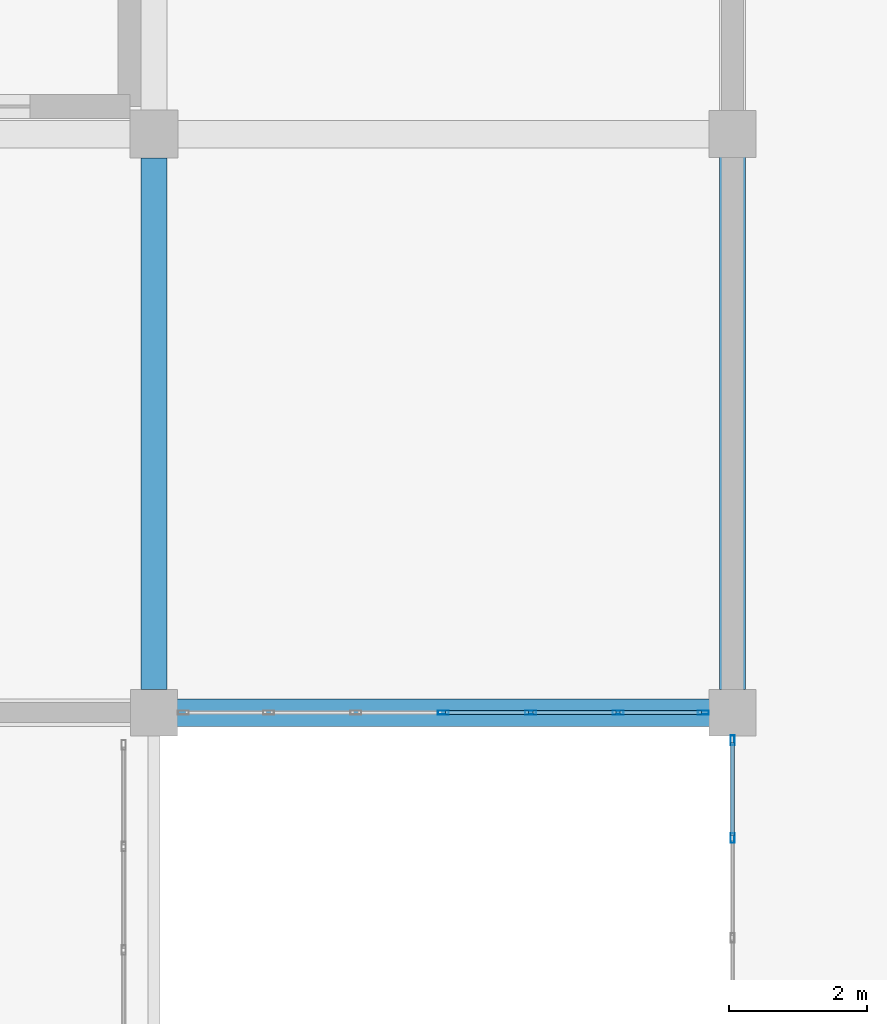
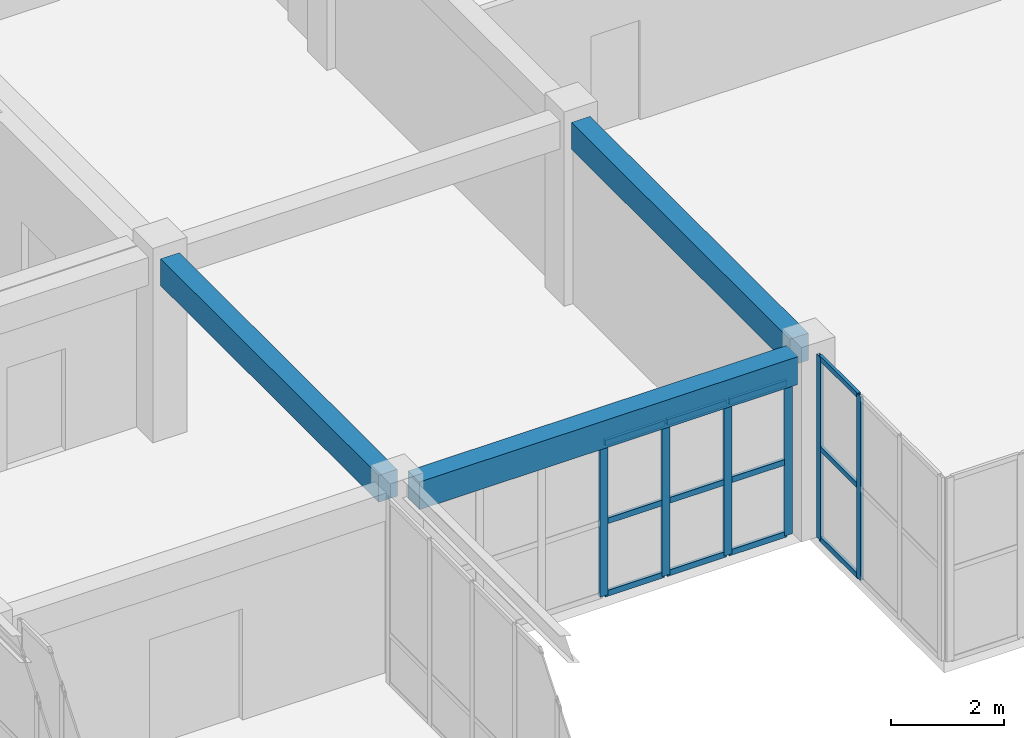
# One storey, part 39 of 140: 18 members, 3 beams, 2 elements without a shape of their own.
"""IFC4 building model written with IfcOpenShell, lengths in metres."""

from ifc_helpers import new_model, si_unit, direction, frame, origin, origin_2d, place, context, subcontext, project, spatial, rectangle, hollow_rectangle, extrude, material, layer, layer_set, material_profile, profile_set, type_object, element, aggregate, save


model = new_model("IFC4")

# Units and contexts
model_context = context("Model", 3, precision=1e-05, world=origin(), true_north=direction((0.0, 1.0)))
body_context = subcontext(model_context, "Body", "Model", "MODEL_VIEW")
ifc_project = project(units=[si_unit("LENGTHUNIT", "METRE"), si_unit("AREAUNIT", "SQUARE_METRE"), si_unit("VOLUMEUNIT", "CUBIC_METRE"), si_unit("PLANEANGLEUNIT", "RADIAN"), si_unit("MASSUNIT", "GRAM", prefix="KILO")], contexts=[model_context])

# Site, building, storey
site_placement = place(None, origin())
site = spatial("IfcSite", under=ifc_project, at=site_placement, CompositionType="ELEMENT")
building_placement = place(site_placement, origin())
building = spatial("IfcBuilding", under=site, at=building_placement, Name="Trelvath General Hospital", CompositionType="ELEMENT")
storey_placement = place(building_placement, frame((0.0, 0.0, 16.199951171875)))
storey = spatial("IfcBuildingStorey", under=building, at=storey_placement, Name="L04", CompositionType="ELEMENT", Elevation=16.199951171875)

# Beams
ifc_material_1 = material(Name="Concrete C35/45", Category="concrete")
ifc_material_profile_1 = material_profile(ifc_material_1, rectangle(XDim=0.3798828125, YDim=0.580078125, at=origin_2d()), Name="RCB380x580")
ifc_profile_set_1 = profile_set([ifc_material_profile_1], Name="Concrete C35/45")
beam_type_1 = type_object("IfcBeamType", Name="Beam RC380x580", PredefinedType="BEAM", material=ifc_profile_set_1)
beam_1_placement = place(storey_placement, frame((84.0, 42.3349609375, 3.630126953125), z_axis=(0.0, 1.0, 0.0), x_axis=(-1.0, 0.0, 0.0)))
element("IfcBeam", 1, at=beam_1_placement, inside=storey, type_object=beam_type_1, Name="Grid Beam BY-410F", PredefinedType="BEAM", context=body_context, shape_type="SweptSolid", body=[
    extrude(rectangle(XDim=0.3798828125, YDim=0.580078125, at=origin_2d()), origin(), (0.0, 0.0, 1.0), 7.719970703125),
])
beam_2_placement = place(storey_placement, frame((92.39990234375, 42.3349609375, 3.630126953125), z_axis=(0.0, 1.0, 0.0), x_axis=(-1.0, 0.0, 0.0)))
element("IfcBeam", 2, at=beam_2_placement, inside=storey, type_object=beam_type_1, Name="Grid Beam BY-411F", PredefinedType="BEAM", context=body_context, shape_type="SweptSolid", body=[
    extrude(rectangle(XDim=0.3798828125, YDim=0.580078125, at=origin_2d()), origin(), (0.0, 0.0, 1.0), 7.72998046875),
])
ifc_material_2 = material(Name="Concrete C35/45", Category="concrete")
ifc_material_profile_2 = material_profile(ifc_material_2, rectangle(XDim=0.39990234375, YDim=0.60009765625, at=origin_2d()), Name="RCB400x600")
ifc_profile_set_2 = profile_set([ifc_material_profile_2], Name="Concrete C35/45")
beam_type_2 = type_object("IfcBeamType", Name="Beam RC400x600", PredefinedType="BEAM", material=ifc_profile_set_2)
beam_3_placement = place(storey_placement, frame((84.3349609375, 42.0, 3.6201171875), z_axis=(1.0, 0.0, 0.0), x_axis=(0.0, 1.0, 0.0)))
element("IfcBeam", 3, at=beam_3_placement, inside=storey, type_object=beam_type_2, Name="Grid Beam BX-410F", PredefinedType="BEAM", context=body_context, shape_type="SweptSolid", body=[
    extrude(rectangle(XDim=0.39990234375, YDim=0.60009765625, at=origin_2d()), origin(), (0.0, 0.0, 1.0), 7.72998046875),
])

# Curtain wall, members
ifc_material_3 = material(Name="Anodised aluminium and low-E glass", Category="aluminium")
ifc_layer_1 = layer(ifc_material_3, 0.139892578125)
ifc_layer_set_1 = layer_set([ifc_layer_1], Name="Anodised aluminium and low-E glass")
curtain_wall_type_1 = type_object("IfcCurtainWallType", Name="CW CrystalCube 435 396 14", PredefinedType="USERDEFINED", material=ifc_layer_set_1)
curtain_wall_1_placement = place(storey_placement, origin())
curtain_wall_1 = element("IfcCurtainWall", 4, at=curtain_wall_1_placement, inside=storey, type_object=curtain_wall_type_1, Name="Crystal Cube Curtain Wall CUBE-E-T1 W1 L04", ObjectType="Unitised Glazed Curtain Wall", PredefinedType="USERDEFINED")
ifc_material_4 = material(Name="Anodised aluminium", Category="aluminium")
ifc_material_profile_3 = material_profile(ifc_material_4, hollow_rectangle(XDim=0.06005859375, YDim=0.139892578125, WallThickness=0.00390625, at=origin_2d()), Name="RHS60x140x4")
ifc_profile_set_3 = profile_set([ifc_material_profile_3], Name="Anodised aluminium")
member_type_1 = type_object("IfcMemberType", Name="CurtainMullion 60x140", PredefinedType="MULLION", material=ifc_profile_set_3)
member_1_placement = place(storey_placement, frame((92.39990234375, 40.179931640625, 0.0), z_axis=(0.0, 0.0, 1.0), x_axis=(-1.0, 0.0, 0.0)))
member_1 = element("IfcMember", 5, at=member_1_placement, type_object=member_type_1, Name="CW-289 mullion 3", PredefinedType="MULLION", context=body_context, shape_type="SweptSolid", body=[
    extrude(hollow_rectangle(XDim=0.06005859375, YDim=0.139892578125, WallThickness=0.00390625, at=origin_2d()), origin(), (0.0, 0.0, 1.0), 3.9599609375),
])
member_2_placement = place(storey_placement, frame((92.39990234375, 41.60009765625, 0.0), z_axis=(0.0, 0.0, 1.0), x_axis=(-1.0, 0.0, 0.0)))
member_2 = element("IfcMember", 6, at=member_2_placement, type_object=member_type_1, Name="CW-289 mullion 4", PredefinedType="MULLION", context=body_context, shape_type="SweptSolid", body=[
    extrude(hollow_rectangle(XDim=0.06005859375, YDim=0.139892578125, WallThickness=0.00390625, at=origin_2d()), origin(), (0.0, 0.0, 1.0), 3.9599609375),
])

ifc_material_5 = material(Name="Anodised aluminium and low-E glass", Category="aluminium")
ifc_layer_2 = layer(ifc_material_5, 0.14990234375)
ifc_layer_set_2 = layer_set([ifc_layer_2], Name="Anodised aluminium and low-E glass")
curtain_wall_type_2 = type_object("IfcCurtainWallType", Name="CW Facade 761 332 15", PredefinedType="USERDEFINED", material=ifc_layer_set_2)
curtain_wall_2_placement = place(storey_placement, origin())
curtain_wall_2 = element("IfcCurtainWall", 7, at=curtain_wall_2_placement, inside=storey, type_object=curtain_wall_type_2, Name="Facade Curtain Wall CW-064", ObjectType="Unitised Glazed Curtain Wall", PredefinedType="USERDEFINED")
ifc_material_6 = material(Name="Anodised aluminium", Category="aluminium")
ifc_material_profile_4 = material_profile(ifc_material_6, hollow_rectangle(XDim=0.06005859375, YDim=0.159912109375, WallThickness=0.00390625, at=origin_2d()), Name="RHS60x160x4")
ifc_profile_set_4 = profile_set([ifc_material_profile_4], Name="Anodised aluminium")
member_type_2 = type_object("IfcMemberType", Name="CurtainMullion 60x160", PredefinedType="MULLION", material=ifc_profile_set_4)
member_3_placement = place(storey_placement, frame((91.97509765625, 42.0, 0.0), z_axis=(0.0, 0.0, 1.0), x_axis=(0.0, -1.0, 0.0)))
member_3 = element("IfcMember", 8, at=member_3_placement, type_object=member_type_2, Name="CW-064 mullion 1", PredefinedType="MULLION", context=body_context, shape_type="SweptSolid", body=[
    extrude(hollow_rectangle(XDim=0.06005859375, YDim=0.159912109375, WallThickness=0.00390625, at=origin_2d()), origin(), (0.0, 0.0, 1.0), 3.320068359375),
])
member_4_placement = place(storey_placement, frame((90.736572265625, 42.0, 0.0), z_axis=(0.0, 0.0, 1.0), x_axis=(0.0, -1.0, 0.0)))
member_4 = element("IfcMember", 9, at=member_4_placement, type_object=member_type_2, Name="CW-064 mullion 2", PredefinedType="MULLION", context=body_context, shape_type="SweptSolid", body=[
    extrude(hollow_rectangle(XDim=0.06005859375, YDim=0.159912109375, WallThickness=0.00390625, at=origin_2d()), origin(), (0.0, 0.0, 1.0), 3.320068359375),
])
member_5_placement = place(storey_placement, frame((89.46826171875, 42.0, 0.0), z_axis=(0.0, 0.0, 1.0), x_axis=(0.0, -1.0, 0.0)))
member_5 = element("IfcMember", 10, at=member_5_placement, type_object=member_type_2, Name="CW-064 mullion 3", PredefinedType="MULLION", context=body_context, shape_type="SweptSolid", body=[
    extrude(hollow_rectangle(XDim=0.06005859375, YDim=0.159912109375, WallThickness=0.00390625, at=origin_2d()), origin(), (0.0, 0.0, 1.0), 3.320068359375),
])
member_6_placement = place(storey_placement, frame((88.199951171875, 42.0, 0.0), z_axis=(0.0, 0.0, 1.0), x_axis=(0.0, -1.0, 0.0)))
member_6 = element("IfcMember", 11, at=member_6_placement, type_object=member_type_2, Name="CW-064 mullion 4", PredefinedType="MULLION", context=body_context, shape_type="SweptSolid", body=[
    extrude(hollow_rectangle(XDim=0.06005859375, YDim=0.159912109375, WallThickness=0.00390625, at=origin_2d()), origin(), (0.0, 0.0, 1.0), 3.320068359375),
])

# Member
ifc_material_7 = material(Name="Anodised aluminium", Category="aluminium")
ifc_material_profile_5 = material_profile(ifc_material_7, hollow_rectangle(XDim=0.06005859375, YDim=0.110107421875, WallThickness=0.00390625, at=origin_2d()), Name="RHS60x110x4")
ifc_profile_set_5 = profile_set([ifc_material_profile_5], Name="Anodised aluminium")
member_type_3 = type_object("IfcMemberType", Name="CurtainTransom 60x110", PredefinedType="USERDEFINED", material=ifc_profile_set_5)
member_7_placement = place(storey_placement, frame((92.39990234375, 40.2099609375, 0.030029296875), z_axis=(0.0, 1.0, 0.0), x_axis=(-1.0, 0.0, 0.0)))
member_7 = element("IfcMember", 12, at=member_7_placement, type_object=member_type_3, Name="CW-289 transom 3.1", ObjectType="TRANSOM", PredefinedType="USERDEFINED", context=body_context, shape_type="SweptSolid", body=[
    extrude(hollow_rectangle(XDim=0.06005859375, YDim=0.110107421875, WallThickness=0.00390625, at=origin_2d()), origin(), (0.0, 0.0, 1.0), 1.360107421875),
])

member_8_placement = place(storey_placement, frame((92.39990234375, 40.2099609375, 1.97998046875), z_axis=(0.0, 1.0, 0.0), x_axis=(-1.0, 0.0, 0.0)))
member_8 = element("IfcMember", 13, at=member_8_placement, type_object=member_type_3, Name="CW-289 transom 3.2", ObjectType="TRANSOM", PredefinedType="USERDEFINED", context=body_context, shape_type="SweptSolid", body=[
    extrude(hollow_rectangle(XDim=0.06005859375, YDim=0.110107421875, WallThickness=0.00390625, at=origin_2d()), origin(), (0.0, 0.0, 1.0), 1.360107421875),
])

member_9_placement = place(storey_placement, frame((92.39990234375, 40.2099609375, 3.929931640625), z_axis=(0.0, 1.0, 0.0), x_axis=(-1.0, 0.0, 0.0)))
member_9 = element("IfcMember", 14, at=member_9_placement, type_object=member_type_3, Name="CW-289 transom 3.3", ObjectType="TRANSOM", PredefinedType="USERDEFINED", context=body_context, shape_type="SweptSolid", body=[
    extrude(hollow_rectangle(XDim=0.06005859375, YDim=0.110107421875, WallThickness=0.00390625, at=origin_2d()), origin(), (0.0, 0.0, 1.0), 1.360107421875),
])

aggregate(curtain_wall_1, [member_1, member_2, member_7, member_8, member_9])

ifc_material_8 = material(Name="Anodised aluminium", Category="aluminium")
ifc_material_profile_6 = material_profile(ifc_material_8, hollow_rectangle(XDim=0.06005859375, YDim=0.125, WallThickness=0.00390625, at=origin_2d()), Name="RHS60x125x4")
ifc_profile_set_6 = profile_set([ifc_material_profile_6], Name="Anodised aluminium")
member_type_4 = type_object("IfcMemberType", Name="CurtainTransom 60x125", PredefinedType="USERDEFINED", material=ifc_profile_set_6)
member_10_placement = place(storey_placement, frame((91.945068359375, 42.0, 0.030029296875), z_axis=(-1.0, 0.0, 0.0), x_axis=(0.0, -1.0, 0.0)))
member_10 = element("IfcMember", 15, at=member_10_placement, type_object=member_type_4, Name="CW-064 transom 1.1", ObjectType="TRANSOM", PredefinedType="USERDEFINED", context=body_context, shape_type="SweptSolid", body=[
    extrude(hollow_rectangle(XDim=0.06005859375, YDim=0.125, WallThickness=0.00390625, at=origin_2d()), origin(), (0.0, 0.0, 1.0), 1.178466796875),
])

member_11_placement = place(storey_placement, frame((91.945068359375, 42.0, 1.593994140625), z_axis=(-1.0, 0.0, 0.0), x_axis=(0.0, -1.0, 0.0)))
member_11 = element("IfcMember", 16, at=member_11_placement, type_object=member_type_4, Name="CW-064 transom 1.2", ObjectType="TRANSOM", PredefinedType="USERDEFINED", context=body_context, shape_type="SweptSolid", body=[
    extrude(hollow_rectangle(XDim=0.06005859375, YDim=0.125, WallThickness=0.00390625, at=origin_2d()), origin(), (0.0, 0.0, 1.0), 1.178466796875),
])

member_12_placement = place(storey_placement, frame((91.945068359375, 42.0, 3.2900390625), z_axis=(-1.0, 0.0, 0.0), x_axis=(0.0, -1.0, 0.0)))
member_12 = element("IfcMember", 17, at=member_12_placement, type_object=member_type_4, Name="CW-064 transom 1.3", ObjectType="TRANSOM", PredefinedType="USERDEFINED", context=body_context, shape_type="SweptSolid", body=[
    extrude(hollow_rectangle(XDim=0.06005859375, YDim=0.125, WallThickness=0.00390625, at=origin_2d()), origin(), (0.0, 0.0, 1.0), 1.178466796875),
])

member_13_placement = place(storey_placement, frame((90.706787109375, 42.0, 0.030029296875), z_axis=(-1.0, 0.0, 0.0), x_axis=(0.0, -1.0, 0.0)))
member_13 = element("IfcMember", 18, at=member_13_placement, type_object=member_type_4, Name="CW-064 transom 2.1", ObjectType="TRANSOM", PredefinedType="USERDEFINED", context=body_context, shape_type="SweptSolid", body=[
    extrude(hollow_rectangle(XDim=0.06005859375, YDim=0.125, WallThickness=0.00390625, at=origin_2d()), origin(), (0.0, 0.0, 1.0), 1.20849609375),
])

member_14_placement = place(storey_placement, frame((90.706787109375, 42.0, 1.593994140625), z_axis=(-1.0, 0.0, 0.0), x_axis=(0.0, -1.0, 0.0)))
member_14 = element("IfcMember", 19, at=member_14_placement, type_object=member_type_4, Name="CW-064 transom 2.2", ObjectType="TRANSOM", PredefinedType="USERDEFINED", context=body_context, shape_type="SweptSolid", body=[
    extrude(hollow_rectangle(XDim=0.06005859375, YDim=0.125, WallThickness=0.00390625, at=origin_2d()), origin(), (0.0, 0.0, 1.0), 1.20849609375),
])

member_15_placement = place(storey_placement, frame((90.706787109375, 42.0, 3.2900390625), z_axis=(-1.0, 0.0, 0.0), x_axis=(0.0, -1.0, 0.0)))
member_15 = element("IfcMember", 20, at=member_15_placement, type_object=member_type_4, Name="CW-064 transom 2.3", ObjectType="TRANSOM", PredefinedType="USERDEFINED", context=body_context, shape_type="SweptSolid", body=[
    extrude(hollow_rectangle(XDim=0.06005859375, YDim=0.125, WallThickness=0.00390625, at=origin_2d()), origin(), (0.0, 0.0, 1.0), 1.20849609375),
])

member_16_placement = place(storey_placement, frame((89.438232421875, 42.0, 0.030029296875), z_axis=(-1.0, 0.0, 0.0), x_axis=(0.0, -1.0, 0.0)))
member_16 = element("IfcMember", 21, at=member_16_placement, type_object=member_type_4, Name="CW-064 transom 3.1", ObjectType="TRANSOM", PredefinedType="USERDEFINED", context=body_context, shape_type="SweptSolid", body=[
    extrude(hollow_rectangle(XDim=0.06005859375, YDim=0.125, WallThickness=0.00390625, at=origin_2d()), origin(), (0.0, 0.0, 1.0), 1.208251953125),
])

member_17_placement = place(storey_placement, frame((89.438232421875, 42.0, 1.593994140625), z_axis=(-1.0, 0.0, 0.0), x_axis=(0.0, -1.0, 0.0)))
member_17 = element("IfcMember", 22, at=member_17_placement, type_object=member_type_4, Name="CW-064 transom 3.2", ObjectType="TRANSOM", PredefinedType="USERDEFINED", context=body_context, shape_type="SweptSolid", body=[
    extrude(hollow_rectangle(XDim=0.06005859375, YDim=0.125, WallThickness=0.00390625, at=origin_2d()), origin(), (0.0, 0.0, 1.0), 1.208251953125),
])

member_18_placement = place(storey_placement, frame((89.438232421875, 42.0, 3.2900390625), z_axis=(-1.0, 0.0, 0.0), x_axis=(0.0, -1.0, 0.0)))
member_18 = element("IfcMember", 23, at=member_18_placement, type_object=member_type_4, Name="CW-064 transom 3.3", ObjectType="TRANSOM", PredefinedType="USERDEFINED", context=body_context, shape_type="SweptSolid", body=[
    extrude(hollow_rectangle(XDim=0.06005859375, YDim=0.125, WallThickness=0.00390625, at=origin_2d()), origin(), (0.0, 0.0, 1.0), 1.208251953125),
])

aggregate(curtain_wall_2, [member_3, member_4, member_5, member_6, member_10, member_11, member_12, member_13, member_14, member_15, member_16, member_17, member_18])

save(model, "model.ifc")
